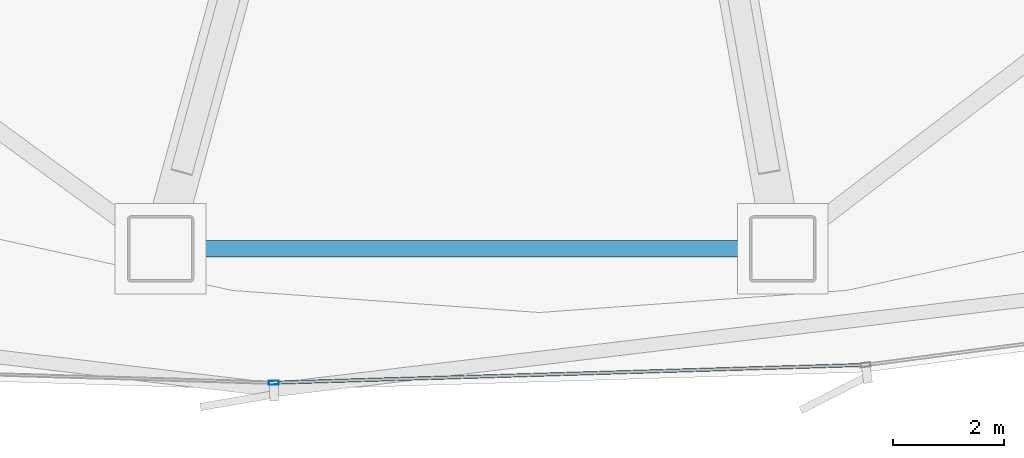
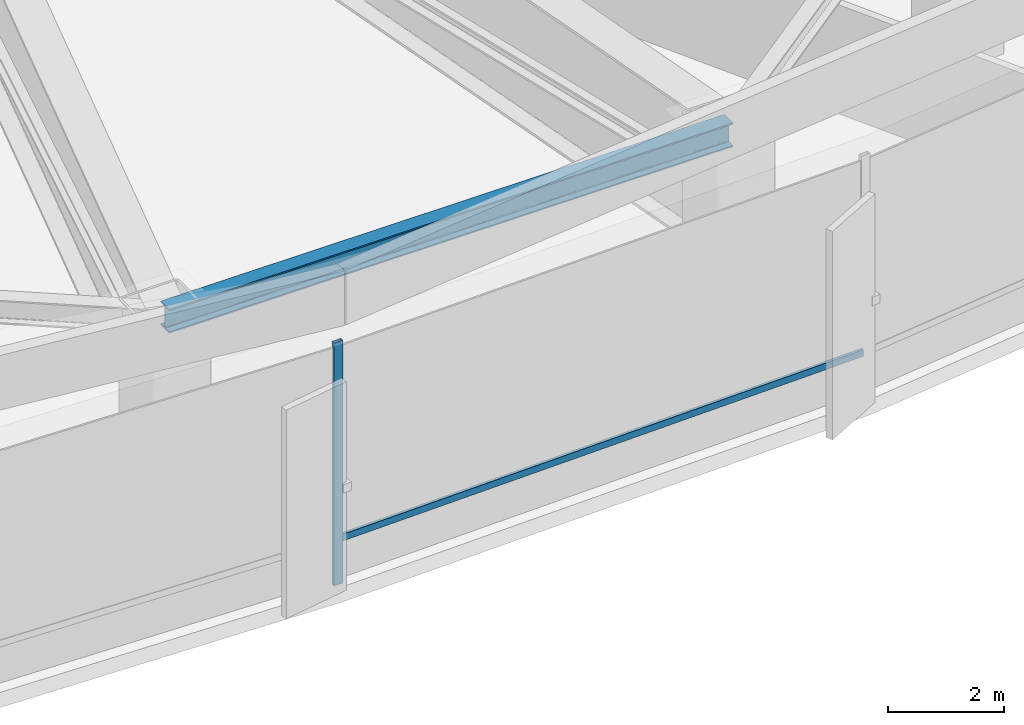
# One storey, part 8 of 36: 2 members, 1 beam, 1 element without a shape of its own.
"""IFC4 building model written with IfcOpenShell, lengths in metres."""

from ifc_helpers import new_model, si_unit, direction, frame, origin, origin_2d, place, context, subcontext, project, spatial, hollow_rectangle, i_section, extrude, source, transform, mapped, material, layer, layer_set, material_profile, profile_set, type_object, element, aggregate, save


model = new_model("IFC4")

# Units and contexts
model_context = context("Model", 3, precision=1e-05, world=origin(), true_north=direction((0.0, 1.0)))
body_context = subcontext(model_context, "Body", "Model", "MODEL_VIEW")
ifc_project = project(units=[si_unit("LENGTHUNIT", "METRE"), si_unit("AREAUNIT", "SQUARE_METRE"), si_unit("VOLUMEUNIT", "CUBIC_METRE"), si_unit("PLANEANGLEUNIT", "RADIAN"), si_unit("MASSUNIT", "GRAM", prefix="KILO"), si_unit("THERMODYNAMICTEMPERATUREUNIT", "KELVIN")], contexts=[model_context])

# Site, building, storey
site_placement = place(None, origin())
site = spatial("IfcSite", under=ifc_project, at=site_placement, CompositionType="ELEMENT")
building_placement = place(site_placement, origin())
building = spatial("IfcBuilding", under=site, at=building_placement, Name="Kethvar Cultural Tower", CompositionType="ELEMENT")
storey_placement = place(building_placement, frame((0.0, 0.0, 24.0)))
storey = spatial("IfcBuildingStorey", under=building, at=storey_placement, Name="L05", CompositionType="ELEMENT", Elevation=24.0)

# Beam
ifc_material_1 = material(Name="Steel S355J2", Category="steel")
ifc_material_profile_1 = material_profile(ifc_material_1, i_section(OverallWidth=0.300048828125, OverallDepth=0.5, WebThickness=0.014404296875, FlangeThickness=0.028076171875, FilletRadius=0.027099609375, at=origin_2d()), Name="Steel S355J2 — HEB500")
ifc_profile_set_1 = profile_set([ifc_material_profile_1], Name="Steel S355J2 — HEB500")
beam_type = type_object("IfcBeamType", Name="BM-SP500", PredefinedType="SPANDREL", material=ifc_profile_set_1)
shared_shape_1 = source(origin(), body_context, "Body", "SweptSolid", [
    extrude(i_section(OverallWidth=0.300048828125, OverallDepth=0.5, WebThickness=0.014404296875, FlangeThickness=0.028076171875, FilletRadius=0.027099609375, at=origin_2d()), origin(), (0.0, 0.0, 1.0), 11.25),
])
beam_placement = place(storey_placement, frame((39.949951171875, 2.75, 4.865966796875), z_axis=(1.0, 0.0, 0.0), x_axis=(0.0, 1.0, 0.0)))
element("IfcBeam", 1, at=beam_placement, inside=storey, type_object=beam_type, Name="L05 Podium Ring Beam 12", PredefinedType="SPANDREL", context=body_context, shape_type="MappedRepresentation", body=[
    mapped(shared_shape_1, transform((0.0, 0.0, 0.0), scale=1.0)),
])

# Curtain wall, members
ifc_material_2 = material(Name="Aluminium 6063-T6", Category="aluminium")
ifc_layer = layer(ifc_material_2, 0.179931640625, Name="Aluminium 6063-T6", Category="aluminium")
ifc_layer_set = layer_set([ifc_layer], Name="Aluminium 6063-T6 (180 mm)")
curtain_wall_type = type_object("IfcCurtainWallType", Name="CW-SYS-01-POD", PredefinedType="NOTDEFINED", material=ifc_layer_set)
curtain_wall_placement = place(storey_placement, origin())
curtain_wall = element("IfcCurtainWall", 2, at=curtain_wall_placement, inside=storey, type_object=curtain_wall_type, Name="L05 Curtain Wall Run 05", PredefinedType="NOTDEFINED")
ifc_material_profile_2 = material_profile(ifc_material_2, hollow_rectangle(XDim=0.06005859375, YDim=0.139892578125, WallThickness=0.0048828125, at=origin_2d()), Name="Aluminium 6063-T6 — RHS140x60x5")
ifc_profile_set_2 = profile_set([ifc_material_profile_2], Name="Aluminium 6063-T6 — RHS140x60x5")
member_type_1 = type_object("IfcMemberType", Name="CW-SYS-01-POD-TRN", PredefinedType="USERDEFINED", material=ifc_profile_set_2)
shared_shape_2 = source(origin(), body_context, "Body", "SweptSolid", [
    extrude(hollow_rectangle(XDim=0.06005859375, YDim=0.139892578125, WallThickness=0.0048828125, at=origin_2d()), origin(), (0.0, 0.0, 1.0), 10.61279296875),
])
member_1_placement = place(storey_placement, frame((42.050048828125, 0.33154296875, 0.949951171875), z_axis=(0.999545810513, 0.030135903608, 0.0), x_axis=(-0.030135903608, 0.999545810513, 0.0)))
member_1 = element("IfcMember", 3, at=member_1_placement, type_object=member_type_1, Name="CW-L05-R05 Transom 4", ObjectType="TRANSOM", PredefinedType="USERDEFINED", context=body_context, shape_type="MappedRepresentation", body=[
    mapped(shared_shape_2, transform((0.0, 0.0, 0.0), scale=1.0)),
])
ifc_material_profile_3 = material_profile(ifc_material_2, hollow_rectangle(XDim=0.074951171875, YDim=0.179931640625, WallThickness=0.006103515625, at=origin_2d()), Name="Aluminium 6063-T6 — RHS180x75x6")
ifc_profile_set_3 = profile_set([ifc_material_profile_3], Name="Aluminium 6063-T6 — RHS180x75x6")
member_type_2 = type_object("IfcMemberType", Name="CW-SYS-01-POD-MUL", PredefinedType="MULLION", material=ifc_profile_set_3)
shared_shape_3 = source(origin(), body_context, "Body", "SweptSolid", [
    extrude(hollow_rectangle(XDim=0.074951171875, YDim=0.179931640625, WallThickness=0.006103515625, at=origin_2d()), origin(), (0.0, 0.0, 1.0), 5.1201171875),
])
member_2_placement = place(storey_placement, frame((41.99609375, 0.329833984375, 0.0), z_axis=(0.0, 0.0, 1.0), x_axis=(-0.030137272261, 0.999545769248, 0.0)))
member_2 = element("IfcMember", 4, at=member_2_placement, type_object=member_type_2, Name="CW-L05-R05 Mullion 4", PredefinedType="MULLION", context=body_context, shape_type="MappedRepresentation", body=[
    mapped(shared_shape_3, transform((0.0, 0.0, 0.0), scale=1.0)),
])
aggregate(curtain_wall, [member_2, member_1])

save(model, "model.ifc")
